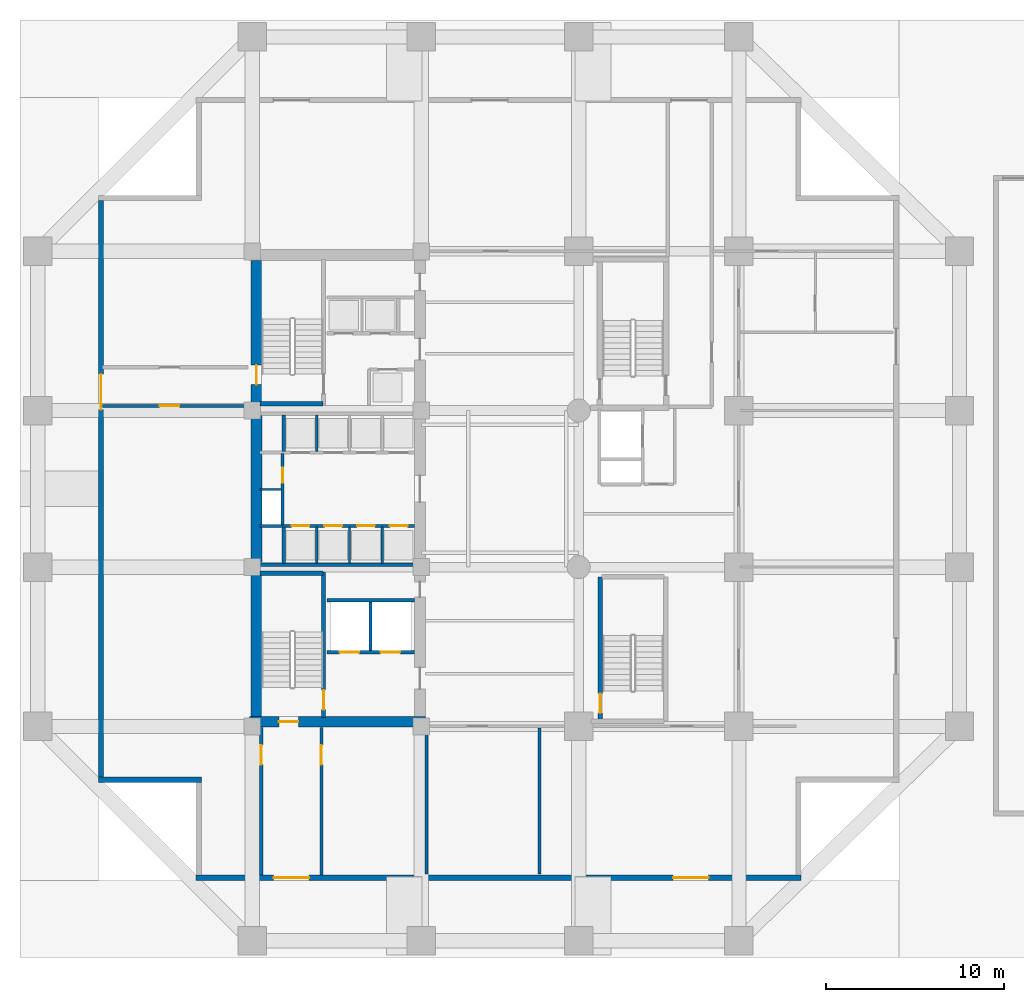
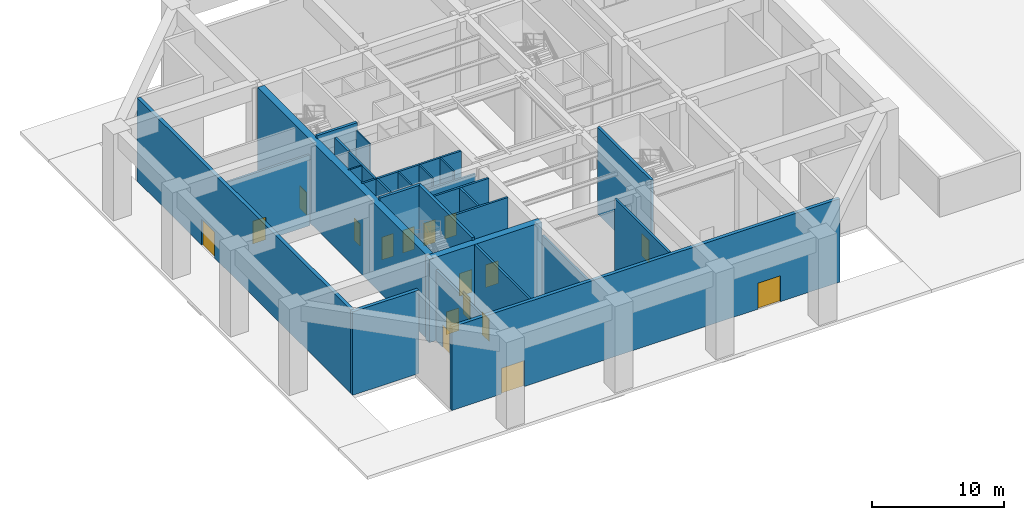
# One storey, part 3 of 10: 27 walls, 17 doors, 17 openings.
"""IFC4 building model written with IfcOpenShell, lengths in metres."""

from ifc_helpers import new_model, si_unit, direction, frame, frame_2d, origin, place, context, subcontext, project, spatial, rectangle, extrude, material, layer, layer_set, type_object, element, fill, save


model = new_model("IFC4")

# Units and contexts
model_context = context("Model", 3, precision=1e-05, world=origin(), true_north=direction((0.0, 1.0)))
body_context = subcontext(model_context, "Body", "Model", "MODEL_VIEW")
ifc_project = project(units=[si_unit("LENGTHUNIT", "METRE"), si_unit("AREAUNIT", "SQUARE_METRE"), si_unit("VOLUMEUNIT", "CUBIC_METRE"), si_unit("PLANEANGLEUNIT", "RADIAN"), si_unit("MASSUNIT", "GRAM", prefix="KILO")], contexts=[model_context])

# Site, building, storey
site_placement = place(None, origin())
site = spatial("IfcSite", under=ifc_project, at=site_placement, CompositionType="ELEMENT")
building_placement = place(site_placement, origin())
building = spatial("IfcBuilding", under=site, at=building_placement, Name="Kundavana Baori Tower", CompositionType="ELEMENT")
storey_placement = place(building_placement, origin())
storey = spatial("IfcBuildingStorey", under=building, at=storey_placement, Name="L00", CompositionType="ELEMENT", Elevation=0.0)

# Wall, opening, door
ifc_material_1 = material(Name="Concrete C50/60", Category="concrete")
ifc_layer_1 = layer(ifc_material_1, 0.39990234375, Name="WL-CORE-400")
ifc_layer_set_1 = layer_set([ifc_layer_1], Name="Concrete C50/60")
wall_type_1 = type_object("IfcWallType", Name="WL-CORE-400", PredefinedType="SHEAR", material=ifc_layer_set_1)
wall_1_placement = place(storey_placement, frame((19.4599609375, 15.739990234375, 0.0), z_axis=(0.0, 0.0, 1.0), x_axis=(0.0, 1.0, 0.0)))
wall_1 = element("IfcWall", 1, at=wall_1_placement, inside=storey, type_object=wall_type_1, Name="WL-L00-ST1-E", PredefinedType="SHEAR", context=body_context, shape_type="SweptSolid", body=[
    extrude(rectangle(XDim=8.199951171875, YDim=0.239990234375, at=frame_2d((4.10009765625, 0.0))), origin(), (0.0, 0.0, 1.0), 8.0),
])
opening_1_placement = place(wall_1_placement, frame((0.449951171875, 0.0, 0.0)))
opening_1 = element("IfcOpeningElement", 2, at=opening_1_placement, cuts=wall_1, Name="Opening FD-110", PredefinedType="OPENING", context=body_context, shape_type="SweptSolid", body=[
    extrude(rectangle(XDim=1.10009765625, YDim=2.10009765625, at=frame_2d((0.550048828125, 1.050048828125))), frame((0.0, 0.1298828125, 0.0), z_axis=(0.0, -1.0, 0.0), x_axis=(1.0, 0.0, 0.0)), (0.0, 0.0, 1.0), 0.260009765625),
])
ifc_material_2 = material(Name="Galvanised Steel Fire-Rated Door Leaf", Category="steel")
door_type_1 = type_object("IfcDoorType", Name="DR-FD120-1100", OperationType="NOTDEFINED", PredefinedType="DOOR", material=ifc_material_2)
door_1_placement = place(opening_1_placement, origin())
door_1 = element("IfcDoor", 3, at=door_1_placement, inside=storey, type_object=door_type_1, Name="DR-L00-ST1", OperationType="SINGLE_SWING_LEFT", OverallHeight=2.10009765625, OverallWidth=1.10009765625, PredefinedType="DOOR", context=body_context, shape_type="SweptSolid", body=[
    extrude(rectangle(XDim=1.10009765625, YDim=2.10009765625, at=frame_2d((0.550048828125, 1.050048828125))), frame((0.0, 0.02490234375, 0.0), z_axis=(0.0, -1.0, 0.0), x_axis=(1.0, 0.0, 0.0)), (0.0, 0.0, 1.0), 0.050048828125),
])
fill(opening_1, door_1)

# Walls
for number, where, z_axis, x_axis, name in (
    (4, (15.89990234375, 23.860107421875, 0.0), (0.0, 0.0, 1.0), (1.0, 0.0, 0.0), "WL-L00-ST1-N"),
    (5, (15.89990234375, 33.389892578125, 0.0), (0.0, 0.0, 1.0), (1.0, 0.0, 0.0), "WL-L00-ST2-S"),
):
    element("IfcWall", number, at=place(storey_placement, frame(where, z_axis=z_axis, x_axis=x_axis)), inside=storey, type_object=wall_type_1, Name=name, PredefinedType="SHEAR", context=body_context, shape_type="SweptSolid", body=[
        extrude(rectangle(XDim=3.52001953125, YDim=0.239990234375, at=frame_2d((1.760009765625, 0.0))), origin(), (0.0, 0.0, 1.0), 8.0),
    ])

# Wall, opening, door
wall_2_placement = place(storey_placement, frame((35.010009765625, 15.5400390625, 0.0), z_axis=(0.0, 0.0, 1.0), x_axis=(0.0, 1.0, 0.0)))
wall_2 = element("IfcWall", 6, at=wall_2_placement, inside=storey, type_object=wall_type_1, Name="WL-L00-ST4-W", PredefinedType="SHEAR", context=body_context, shape_type="SweptSolid", body=[
    extrude(rectangle(XDim=8.119873046875, YDim=0.239990234375, at=frame_2d((4.06005859375, 0.0))), origin(), (0.0, 0.0, 1.0), 8.0),
])
opening_2_placement = place(wall_2_placement, frame((0.449951171875, 0.0, 0.0)))
opening_2 = element("IfcOpeningElement", 7, at=opening_2_placement, cuts=wall_2, Name="Opening FD-110", PredefinedType="OPENING", context=body_context, shape_type="SweptSolid", body=[
    extrude(rectangle(XDim=1.10009765625, YDim=2.10009765625, at=frame_2d((0.550048828125, 1.050048828125))), frame((0.0, 0.1298828125, 0.0), z_axis=(0.0, -1.0, 0.0), x_axis=(1.0, 0.0, 0.0)), (0.0, 0.0, 1.0), 0.260009765625),
])
door_2_placement = place(opening_2_placement, origin())
door_2 = element("IfcDoor", 8, at=door_2_placement, inside=storey, type_object=door_type_1, Name="DR-L00-ST4", OperationType="SINGLE_SWING_RIGHT", OverallHeight=2.10009765625, OverallWidth=1.10009765625, PredefinedType="DOOR", context=body_context, shape_type="SweptSolid", body=[
    extrude(rectangle(XDim=1.10009765625, YDim=2.10009765625, at=frame_2d((0.550048828125, 1.050048828125))), frame((0.0, 0.02490234375, 0.0), z_axis=(0.0, -1.0, 0.0), x_axis=(1.0, 0.0, 0.0)), (0.0, 0.0, 1.0), 0.050048828125),
])
fill(opening_2, door_2)

ifc_material_3 = material(Name="Concrete C60/75", Category="concrete")
ifc_layer_2 = layer(ifc_material_3, 0.60009765625, Name="WL-CORE-600")
ifc_layer_set_2 = layer_set([ifc_layer_2], Name="Concrete C60/75")
wall_type_2 = type_object("IfcWallType", Name="WL-CORE-600", PredefinedType="SHEAR", material=ifc_layer_set_2)
wall_3_placement = place(storey_placement, frame((15.300048828125, 15.510009765625, 0.0), z_axis=(0.0, 0.0, 1.0), x_axis=(1.0, 0.0, 0.0)))
wall_3 = element("IfcWall", 9, at=wall_3_placement, inside=storey, type_object=wall_type_2, Name="L00 Offset Core South Shear Wall", PredefinedType="SHEAR", context=body_context, shape_type="SweptSolid", body=[
    extrude(rectangle(XDim=9.8798828125, YDim=0.60009765625, at=frame_2d((4.93994140625, 0.0))), origin(), (0.0, 0.0, 1.0), 7.719970703125),
])
opening_3_placement = place(wall_3_placement, frame((1.64990234375, 0.0, 0.0)))
opening_3 = element("IfcOpeningElement", 10, at=opening_3_placement, cuts=wall_3, Name="Opening FD-110", PredefinedType="OPENING", context=body_context, shape_type="SweptSolid", body=[
    extrude(rectangle(XDim=1.10009765625, YDim=2.10009765625, at=frame_2d((0.550048828125, 1.050048828125))), frame((0.0, 0.31005859375, 0.0), z_axis=(0.0, -1.0, 0.0), x_axis=(1.0, 0.0, 0.0)), (0.0, 0.0, 1.0), 0.6201171875),
])
door_3_placement = place(opening_3_placement, frame((1.10009765625, 0.0, 0.0), z_axis=(0.0, 0.0, 1.0), x_axis=(-1.0, 0.0, 0.0)))
door_3 = element("IfcDoor", 11, at=door_3_placement, inside=storey, type_object=door_type_1, Name="DR-L00-ST1-DIS", OperationType="SINGLE_SWING_LEFT", OverallHeight=2.10009765625, OverallWidth=1.10009765625, PredefinedType="DOOR", context=body_context, shape_type="SweptSolid", body=[
    extrude(rectangle(XDim=1.10009765625, YDim=2.10009765625, at=frame_2d((0.550048828125, 1.050048828125))), frame((0.0, 0.02490234375, 0.0), z_axis=(0.0, -1.0, 0.0), x_axis=(1.0, 0.0, 0.0)), (0.0, 0.0, 1.0), 0.050048828125),
])
fill(opening_3, door_3)

wall_4_placement = place(storey_placement, frame((15.68994140625, 15.81005859375, 0.0), z_axis=(0.0, 0.0, 1.0), x_axis=(0.0, 1.0, 0.0)))
wall_4 = element("IfcWall", 12, at=wall_4_placement, inside=storey, type_object=wall_type_2, Name="L00 Offset Core West Shear Wall", PredefinedType="SHEAR", context=body_context, shape_type="SweptSolid", body=[
    extrude(rectangle(XDim=25.6298828125, YDim=0.60009765625, at=frame_2d((12.81494140625, 0.0))), origin(), (0.0, 0.0, 1.0), 7.719970703125),
])
opening_4_placement = place(wall_4_placement, frame((18.64990234375, 0.0, 0.0)))
opening_4 = element("IfcOpeningElement", 13, at=opening_4_placement, cuts=wall_4, Name="Opening FD-110", PredefinedType="OPENING", context=body_context, shape_type="SweptSolid", body=[
    extrude(rectangle(XDim=1.10009765625, YDim=2.10009765625, at=frame_2d((0.550048828125, 1.050048828125))), frame((0.0, 0.31005859375, 0.0), z_axis=(0.0, -1.0, 0.0), x_axis=(1.0, 0.0, 0.0)), (0.0, 0.0, 1.0), 0.6201171875),
])
door_4_placement = place(opening_4_placement, frame((1.10009765625, 0.0, 0.0), z_axis=(0.0, 0.0, 1.0), x_axis=(-1.0, 0.0, 0.0)))
door_4 = element("IfcDoor", 14, at=door_4_placement, inside=storey, type_object=door_type_1, Name="DR-L00-ST2-DIS", OperationType="SINGLE_SWING_RIGHT", OverallHeight=2.10009765625, OverallWidth=1.10009765625, PredefinedType="DOOR", context=body_context, shape_type="SweptSolid", body=[
    extrude(rectangle(XDim=1.10009765625, YDim=2.10009765625, at=frame_2d((0.550048828125, 1.050048828125))), frame((0.0, 0.02490234375, 0.0), z_axis=(0.0, -1.0, 0.0), x_axis=(1.0, 0.0, 0.0)), (0.0, 0.0, 1.0), 0.050048828125),
])
fill(opening_4, door_4)

# Wall, openings, doors
ifc_material_4 = material(Name="Red-Buff Dholpur Sandstone Cladding on Concrete C40/50", Category="masonry")
ifc_layer_3 = layer(ifc_material_4, 0.300048828125, Name="WL-EXT-SAND-300")
ifc_layer_set_3 = layer_set([ifc_layer_3], Name="Red-Buff Dholpur Sandstone Cladding on Concrete C40/50")
wall_type_3 = type_object("IfcWallType", Name="WL-EXT-SAND-300", PredefinedType="STANDARD", material=ifc_layer_set_3)
wall_5_placement = place(storey_placement, frame((12.300048828125, 6.75, 0.0), z_axis=(0.0, 0.0, 1.0), x_axis=(1.0, 0.0, 0.0)))
wall_5 = element("IfcWall", 15, at=wall_5_placement, inside=storey, type_object=wall_type_3, Name="L00 Exterior Insulated Facade Wall 01", PredefinedType="STANDARD", context=body_context, shape_type="SweptSolid", body=[
    extrude(rectangle(XDim=34.0, YDim=0.300048828125, at=frame_2d((17.0, 0.0))), origin(), (0.0, 0.0, 1.0), 7.719970703125),
])
opening_5_placement = place(wall_5_placement, frame((4.35009765625, 0.0, 0.0)))
opening_5 = element("IfcOpeningElement", 16, at=opening_5_placement, cuts=wall_5, Name="Opening ED-1", PredefinedType="OPENING", context=body_context, shape_type="SweptSolid", body=[
    extrude(rectangle(XDim=2.0, YDim=2.39990234375, at=frame_2d((1.0, 1.199951171875))), frame((0.0, 0.16015625, 0.0), z_axis=(0.0, -1.0, 0.0), x_axis=(1.0, 0.0, 0.0)), (0.0, 0.0, 1.0), 0.320068359375),
])
opening_6_placement = place(wall_5_placement, frame((26.800048828125, 0.0, 0.0)))
opening_6 = element("IfcOpeningElement", 17, at=opening_6_placement, cuts=wall_5, Name="Opening ED-1", PredefinedType="OPENING", context=body_context, shape_type="SweptSolid", body=[
    extrude(rectangle(XDim=2.0, YDim=2.39990234375, at=frame_2d((1.0, 1.199951171875))), frame((0.0, 0.16015625, 0.0), z_axis=(0.0, -1.0, 0.0), x_axis=(1.0, 0.0, 0.0)), (0.0, 0.0, 1.0), 0.320068359375),
])
ifc_material_5 = material(Name="Architectural Patinated Bronze Metalwork")
door_type_2 = type_object("IfcDoorType", Name="DR-EXT-EXIT-2000", OperationType="NOTDEFINED", PredefinedType="DOOR", material=ifc_material_5)
door_5_placement = place(opening_5_placement, frame((2.0, 0.0, 0.0), z_axis=(0.0, 0.0, 1.0), x_axis=(-1.0, 0.0, 0.0)))
door_5 = element("IfcDoor", 18, at=door_5_placement, inside=storey, type_object=door_type_2, Name="L00 Final Street Exit Door ED-S1", OperationType="DOUBLE_DOOR_SINGLE_SWING", OverallHeight=2.39990234375, OverallWidth=2.0, PredefinedType="DOOR", context=body_context, shape_type="SweptSolid", body=[
    extrude(rectangle(XDim=2.0, YDim=2.39990234375, at=frame_2d((1.0, 1.199951171875))), frame((0.0, 0.02490234375, 0.0), z_axis=(0.0, -1.0, 0.0), x_axis=(1.0, 0.0, 0.0)), (0.0, 0.0, 1.0), 0.050048828125),
])
fill(opening_5, door_5)
door_6_placement = place(opening_6_placement, frame((2.0, 0.0, 0.0), z_axis=(0.0, 0.0, 1.0), x_axis=(-1.0, 0.0, 0.0)))
door_6 = element("IfcDoor", 19, at=door_6_placement, inside=storey, type_object=door_type_2, Name="L00 Final Street Exit Door ED-S2", OperationType="DOUBLE_DOOR_SINGLE_SWING", OverallHeight=2.39990234375, OverallWidth=2.0, PredefinedType="DOOR", context=body_context, shape_type="SweptSolid", body=[
    extrude(rectangle(XDim=2.0, YDim=2.39990234375, at=frame_2d((1.0, 1.199951171875))), frame((0.0, 0.02490234375, 0.0), z_axis=(0.0, -1.0, 0.0), x_axis=(1.0, 0.0, 0.0)), (0.0, 0.0, 1.0), 0.050048828125),
])
fill(opening_6, door_6)

# Wall, opening, door
wall_6_placement = place(storey_placement, frame((6.949951171875, 44.800048828125, 0.0), z_axis=(0.0, 0.0, 1.0), x_axis=(0.0, -1.0, 0.0)))
wall_6 = element("IfcWall", 20, at=wall_6_placement, inside=storey, type_object=wall_type_3, Name="L00 Exterior Insulated Facade Wall 10", PredefinedType="STANDARD", context=body_context, shape_type="SweptSolid", body=[
    extrude(rectangle(XDim=32.400146484375, YDim=0.300048828125, at=frame_2d((16.2001953125, 0.0))), origin(), (0.0, 0.0, 1.0), 7.719970703125),
])
opening_7_placement = place(wall_6_placement, frame((9.75, 0.0, 0.0)))
opening_7 = element("IfcOpeningElement", 21, at=opening_7_placement, cuts=wall_6, Name="Opening ED-1", PredefinedType="OPENING", context=body_context, shape_type="SweptSolid", body=[
    extrude(rectangle(XDim=2.0, YDim=2.39990234375, at=frame_2d((1.0, 1.199951171875))), frame((0.0, 0.16015625, 0.0), z_axis=(0.0, -1.0, 0.0), x_axis=(1.0, 0.0, 0.0)), (0.0, 0.0, 1.0), 0.320068359375),
])
door_7_placement = place(opening_7_placement, frame((2.0, 0.0, 0.0), z_axis=(0.0, 0.0, 1.0), x_axis=(-1.0, 0.0, 0.0)))
door_7 = element("IfcDoor", 22, at=door_7_placement, inside=storey, type_object=door_type_2, Name="L00 Final Street Exit Door ED-W1", OperationType="DOUBLE_DOOR_SINGLE_SWING", OverallHeight=2.39990234375, OverallWidth=2.0, PredefinedType="DOOR", context=body_context, shape_type="SweptSolid", body=[
    extrude(rectangle(XDim=2.0, YDim=2.39990234375, at=frame_2d((1.0, 1.199951171875))), frame((0.0, 0.02490234375, 0.0), z_axis=(0.0, -1.0, 0.0), x_axis=(1.0, 0.0, 0.0)), (0.0, 0.0, 1.0), 0.050048828125),
])
fill(opening_7, door_7)

# Walls
wall_7_placement = place(storey_placement, frame((6.800048828125, 12.25, 0.0), z_axis=(0.0, 0.0, 1.0), x_axis=(1.0, 0.0, 0.0)))
element("IfcWall", 23, at=wall_7_placement, inside=storey, type_object=wall_type_3, Name="L00 Exterior Insulated Facade Wall 11", PredefinedType="STANDARD", context=body_context, shape_type="SweptSolid", body=[
    extrude(rectangle(XDim=5.800048828125, YDim=0.300048828125, at=frame_2d((2.89990234375, 0.0))), origin(), (0.0, 0.0, 1.0), 7.719970703125),
])
ifc_material_6 = material(Name="Acoustic Gypsum Plasterboard on Galvanised Steel Studs", Category="steel")
ifc_layer_4 = layer(ifc_material_6, 0.1201171875, Name="WL-PART-120")
ifc_layer_set_4 = layer_set([ifc_layer_4], Name="Acoustic Gypsum Plasterboard on Galvanised Steel Studs")
wall_type_4 = type_object("IfcWallType", Name="WL-PART-120", PredefinedType="PARTITIONING", material=ifc_layer_set_4)
for number, where, z_axis, x_axis, name in (
    (24, (19.080078125, 24.39990234375, 0.0), (0.0, 0.0, 1.0), (0.0, 1.0, 0.0), "WL-L00-LPLOW-D1"),
    (25, (20.919921875, 24.39990234375, 0.0), (0.0, 0.0, 1.0), (0.0, 1.0, 0.0), "WL-L00-LPLOW-D2"),
    (26, (22.760009765625, 24.39990234375, 0.0), (0.0, 0.0, 1.0), (0.0, 1.0, 0.0), "WL-L00-LPLOW-D3"),
):
    element("IfcWall", number, at=place(storey_placement, frame(where, z_axis=z_axis, x_axis=x_axis)), inside=storey, type_object=wall_type_4, Name=name, PredefinedType="PARTITIONING", context=body_context, shape_type="SweptSolid", body=[
        extrude(rectangle(XDim=2.050048828125, YDim=0.1201171875, at=frame_2d((1.02490234375, 0.0))), origin(), (0.0, 0.0, 1.0), 7.719970703125),
    ])
wall_8_placement = place(storey_placement, frame((15.89990234375, 28.56005859375, 0.0), z_axis=(0.0, 0.0, 1.0), x_axis=(1.0, 0.0, 0.0)))
element("IfcWall", 27, at=wall_8_placement, inside=storey, type_object=wall_type_4, Name="WL-L00-RSRW-N", PredefinedType="PARTITIONING", context=body_context, shape_type="SweptSolid", body=[
    extrude(rectangle(XDim=1.2001953125, YDim=0.1201171875, at=frame_2d((0.60009765625, 0.0))), origin(), (0.0, 0.0, 1.0), 7.719970703125),
])
wall_9_placement = place(storey_placement, frame((19.080078125, 30.699951171875, 0.0), z_axis=(0.0, 0.0, 1.0), x_axis=(0.0, 1.0, 0.0)))
element("IfcWall", 28, at=wall_9_placement, inside=storey, type_object=wall_type_4, Name="WL-L00-LPMID-D1", PredefinedType="PARTITIONING", context=body_context, shape_type="SweptSolid", body=[
    extrude(rectangle(XDim=2.050048828125, YDim=0.1201171875, at=frame_2d((1.02490234375, 0.0))), origin(), (0.0, 0.0, 1.0), 7.719970703125),
])

# Wall, opening, door
ifc_material_7 = material(Name="Autoclaved Aerated Concrete Blockwork Masonry", Category="masonry")
ifc_layer_5 = layer(ifc_material_7, 0.18505859375, Name="WL-PART-180")
ifc_layer_set_5 = layer_set([ifc_layer_5], Name="Autoclaved Aerated Concrete Blockwork Masonry")
wall_type_5 = type_object("IfcWallType", Name="WL-PART-180", PredefinedType="SOLIDWALL", material=ifc_layer_set_5)
wall_10_placement = place(storey_placement, frame((15.9599609375, 6.89990234375, 0.0), z_axis=(0.0, 0.0, 1.0), x_axis=(0.0, 1.0, 0.0)))
wall_10 = element("IfcWall", 29, at=wall_10_placement, inside=storey, type_object=wall_type_5, Name="WL-L00-EXD1-W", PredefinedType="SOLIDWALL", context=body_context, shape_type="SweptSolid", body=[
    extrude(rectangle(XDim=8.300048828125, YDim=0.18505859375, at=frame_2d((4.14990234375, 0.0))), origin(), (0.0, 0.0, 1.0), 6.550048828125),
])
opening_8_placement = place(wall_10_placement, frame((6.199951171875, 0.0, 0.0)))
opening_8 = element("IfcOpeningElement", 30, at=opening_8_placement, cuts=wall_10, Name="Opening FD-110", PredefinedType="OPENING", context=body_context, shape_type="SweptSolid", body=[
    extrude(rectangle(XDim=1.10009765625, YDim=2.10009765625, at=frame_2d((0.550048828125, 1.050048828125))), frame((0.0, 0.1025390625, 0.0), z_axis=(0.0, -1.0, 0.0), x_axis=(1.0, 0.0, 0.0)), (0.0, 0.0, 1.0), 0.205078125),
])
door_8_placement = place(opening_8_placement, origin())
door_8 = element("IfcDoor", 31, at=door_8_placement, inside=storey, type_object=door_type_1, Name="DR-L00-EXD1-W", OperationType="SINGLE_SWING_LEFT", OverallHeight=2.10009765625, OverallWidth=1.10009765625, PredefinedType="DOOR", context=body_context, shape_type="SweptSolid", body=[
    extrude(rectangle(XDim=1.10009765625, YDim=2.10009765625, at=frame_2d((0.550048828125, 1.050048828125))), frame((0.0, 0.02490234375, 0.0), z_axis=(0.0, -1.0, 0.0), x_axis=(1.0, 0.0, 0.0)), (0.0, 0.0, 1.0), 0.050048828125),
])
fill(opening_8, door_8)

wall_11_placement = place(storey_placement, frame((19.340087890625, 6.89990234375, 0.0), z_axis=(0.0, 0.0, 1.0), x_axis=(0.0, 1.0, 0.0)))
wall_11 = element("IfcWall", 32, at=wall_11_placement, inside=storey, type_object=wall_type_5, Name="WL-L00-EXD1-E", PredefinedType="SOLIDWALL", context=body_context, shape_type="SweptSolid", body=[
    extrude(rectangle(XDim=8.300048828125, YDim=0.18505859375, at=frame_2d((4.14990234375, 0.0))), origin(), (0.0, 0.0, 1.0), 7.719970703125),
])
opening_9_placement = place(wall_11_placement, frame((6.199951171875, 0.0, 0.0)))
opening_9 = element("IfcOpeningElement", 33, at=opening_9_placement, cuts=wall_11, Name="Opening FD-110", PredefinedType="OPENING", context=body_context, shape_type="SweptSolid", body=[
    extrude(rectangle(XDim=1.10009765625, YDim=2.10009765625, at=frame_2d((0.550048828125, 1.050048828125))), frame((0.0, 0.1025390625, 0.0), z_axis=(0.0, -1.0, 0.0), x_axis=(1.0, 0.0, 0.0)), (0.0, 0.0, 1.0), 0.205078125),
])
door_9_placement = place(opening_9_placement, frame((1.10009765625, 0.0, 0.0), z_axis=(0.0, 0.0, 1.0), x_axis=(-1.0, 0.0, 0.0)))
door_9 = element("IfcDoor", 34, at=door_9_placement, inside=storey, type_object=door_type_1, Name="DR-L00-EXD1-E", OperationType="SINGLE_SWING_RIGHT", OverallHeight=2.10009765625, OverallWidth=1.10009765625, PredefinedType="DOOR", context=body_context, shape_type="SweptSolid", body=[
    extrude(rectangle(XDim=1.10009765625, YDim=2.10009765625, at=frame_2d((0.550048828125, 1.050048828125))), frame((0.0, 0.02490234375, 0.0), z_axis=(0.0, -1.0, 0.0), x_axis=(1.0, 0.0, 0.0)), (0.0, 0.0, 1.0), 0.050048828125),
])
fill(opening_9, door_9)

wall_12_placement = place(storey_placement, frame((7.050048828125, 33.260009765625, 0.0), z_axis=(0.0, 0.0, 1.0), x_axis=(1.0, 0.0, 0.0)))
wall_12 = element("IfcWall", 35, at=wall_12_placement, inside=storey, type_object=wall_type_5, Name="WL-L00-EXD2-S", PredefinedType="SOLIDWALL", context=body_context, shape_type="SweptSolid", body=[
    extrude(rectangle(XDim=8.14990234375, YDim=0.18505859375, at=frame_2d((4.074951171875, 0.0))), origin(), (0.0, 0.0, 1.0), 6.550048828125),
])
opening_10_placement = place(wall_12_placement, frame((3.199951171875, 0.0, 0.0)))
opening_10 = element("IfcOpeningElement", 36, at=opening_10_placement, cuts=wall_12, Name="Opening FD-110", PredefinedType="OPENING", context=body_context, shape_type="SweptSolid", body=[
    extrude(rectangle(XDim=1.10009765625, YDim=2.10009765625, at=frame_2d((0.550048828125, 1.050048828125))), frame((0.0, 0.1025390625, 0.0), z_axis=(0.0, -1.0, 0.0), x_axis=(1.0, 0.0, 0.0)), (0.0, 0.0, 1.0), 0.205078125),
])
door_10_placement = place(opening_10_placement, frame((1.10009765625, 0.0, 0.0), z_axis=(0.0, 0.0, 1.0), x_axis=(-1.0, 0.0, 0.0)))
door_10 = element("IfcDoor", 37, at=door_10_placement, inside=storey, type_object=door_type_1, Name="DR-L00-EXD2-W", OperationType="SINGLE_SWING_RIGHT", OverallHeight=2.10009765625, OverallWidth=1.10009765625, PredefinedType="DOOR", context=body_context, shape_type="SweptSolid", body=[
    extrude(rectangle(XDim=1.10009765625, YDim=2.10009765625, at=frame_2d((0.550048828125, 1.050048828125))), frame((0.0, 0.02490234375, 0.0), z_axis=(0.0, -1.0, 0.0), x_axis=(1.0, 0.0, 0.0)), (0.0, 0.0, 1.0), 0.050048828125),
])
fill(opening_10, door_10)

# Walls
wall_13_placement = place(storey_placement, frame((31.60009765625, 6.949951171875, 0.0), z_axis=(0.0, 0.0, 1.0), x_axis=(0.0, 1.0, 0.0)))
element("IfcWall", 38, at=wall_13_placement, inside=storey, type_object=wall_type_5, Name="WL-L00-FCC-E", PredefinedType="SOLIDWALL", context=body_context, shape_type="SweptSolid", body=[
    extrude(rectangle(XDim=8.2099609375, YDim=0.18505859375, at=frame_2d((4.10498046875, 0.0))), origin(), (0.0, 0.0, 1.0), 7.719970703125),
])
wall_14_placement = place(storey_placement, frame((25.25, 6.949951171875, 0.0), z_axis=(0.0, 0.0, 1.0), x_axis=(0.0, 1.0, 0.0)))
element("IfcWall", 39, at=wall_14_placement, inside=storey, type_object=wall_type_5, Name="WL-L00-FCC-W", PredefinedType="SOLIDWALL", context=body_context, shape_type="SweptSolid", body=[
    extrude(rectangle(XDim=8.2099609375, YDim=0.18505859375, at=frame_2d((4.10498046875, 0.0))), origin(), (0.0, 0.0, 1.0), 6.550048828125),
])

# Wall, openings, doors
ifc_material_8 = material(Name="Autoclaved Aerated Concrete Blockwork Masonry", Category="masonry")
ifc_layer_6 = layer(ifc_material_8, 0.179931640625, Name="WL-SHAFT-180")
ifc_layer_set_6 = layer_set([ifc_layer_6], Name="Autoclaved Aerated Concrete Blockwork Masonry")
wall_type_6 = type_object("IfcWallType", Name="WL-SHAFT-180", PredefinedType="SOLIDWALL", material=ifc_layer_set_6)
wall_15_placement = place(storey_placement, frame((19.639892578125, 19.419921875, 0.0), z_axis=(0.0, 0.0, 1.0), x_axis=(1.0, 0.0, 0.0)))
wall_15 = element("IfcWall", 40, at=wall_15_placement, inside=storey, type_object=wall_type_6, Name="WL-L00-FFL-S", PredefinedType="SOLIDWALL", context=body_context, shape_type="SweptSolid", body=[
    extrude(rectangle(XDim=4.940185546875, YDim=0.179931640625, at=frame_2d((2.47021484375, 0.0))), origin(), (0.0, 0.0, 1.0), 7.719970703125),
])
opening_11_placement = place(wall_15_placement, frame((0.719970703125, 0.0, 0.0)))
opening_11 = element("IfcOpeningElement", 41, at=opening_11_placement, cuts=wall_15, Name="Opening LD-110", PredefinedType="OPENING", context=body_context, shape_type="SweptSolid", body=[
    extrude(rectangle(XDim=1.10009765625, YDim=2.10009765625, at=frame_2d((0.550048828125, 1.050048828125))), frame((0.0, 0.10009765625, 0.0), z_axis=(0.0, -1.0, 0.0), x_axis=(1.0, 0.0, 0.0)), (0.0, 0.0, 1.0), 0.199951171875),
])
opening_12_placement = place(wall_15_placement, frame((3.02001953125, 0.0, 0.0)))
opening_12 = element("IfcOpeningElement", 42, at=opening_12_placement, cuts=wall_15, Name="Opening LD-110", PredefinedType="OPENING", context=body_context, shape_type="SweptSolid", body=[
    extrude(rectangle(XDim=1.10009765625, YDim=2.10009765625, at=frame_2d((0.550048828125, 1.050048828125))), frame((0.0, 0.10009765625, 0.0), z_axis=(0.0, -1.0, 0.0), x_axis=(1.0, 0.0, 0.0)), (0.0, 0.0, 1.0), 0.199951171875),
])
ifc_material_9 = material(Name="Galvanised Steel Fire-Rated Door Leaf", Category="steel")
door_type_3 = type_object("IfcDoorType", Name="DR-SLIDE-LD1100", OperationType="NOTDEFINED", PredefinedType="DOOR", material=ifc_material_9)
door_11_placement = place(opening_11_placement, origin())
door_11 = element("IfcDoor", 43, at=door_11_placement, inside=storey, type_object=door_type_3, Name="DR-L00-LD-FFL-1", OperationType="DOUBLE_DOOR_SLIDING", OverallHeight=2.10009765625, OverallWidth=1.10009765625, PredefinedType="DOOR", context=body_context, shape_type="SweptSolid", body=[
    extrude(rectangle(XDim=1.10009765625, YDim=2.10009765625, at=frame_2d((0.550048828125, 1.050048828125))), frame((0.0, 0.02490234375, 0.0), z_axis=(0.0, -1.0, 0.0), x_axis=(1.0, 0.0, 0.0)), (0.0, 0.0, 1.0), 0.050048828125),
])
fill(opening_11, door_11)
door_12_placement = place(opening_12_placement, origin())
door_12 = element("IfcDoor", 44, at=door_12_placement, inside=storey, type_object=door_type_3, Name="DR-L00-LD-FFL-2", OperationType="DOUBLE_DOOR_SLIDING", OverallHeight=2.10009765625, OverallWidth=1.10009765625, PredefinedType="DOOR", context=body_context, shape_type="SweptSolid", body=[
    extrude(rectangle(XDim=1.10009765625, YDim=2.10009765625, at=frame_2d((0.550048828125, 1.050048828125))), frame((0.0, 0.02490234375, 0.0), z_axis=(0.0, -1.0, 0.0), x_axis=(1.0, 0.0, 0.0)), (0.0, 0.0, 1.0), 0.050048828125),
])
fill(opening_12, door_12)

# Walls
wall_16_placement = place(storey_placement, frame((22.10009765625, 19.510009765625, 0.0), z_axis=(0.0, 0.0, 1.0), x_axis=(0.0, 1.0, 0.0)))
element("IfcWall", 45, at=wall_16_placement, inside=storey, type_object=wall_type_6, Name="WL-L00-FFL-MID", PredefinedType="SOLIDWALL", context=body_context, shape_type="SweptSolid", body=[
    extrude(rectangle(XDim=2.739990234375, YDim=0.179931640625, at=frame_2d((1.3701171875, 0.0))), origin(), (0.0, 0.0, 1.0), 7.719970703125),
])
wall_17_placement = place(storey_placement, frame((19.639892578125, 22.340087890625, 0.0), z_axis=(0.0, 0.0, 1.0), x_axis=(1.0, 0.0, 0.0)))
element("IfcWall", 46, at=wall_17_placement, inside=storey, type_object=wall_type_6, Name="WL-L00-FFL-N", PredefinedType="SOLIDWALL", context=body_context, shape_type="SweptSolid", body=[
    extrude(rectangle(XDim=4.940185546875, YDim=0.179931640625, at=frame_2d((2.47021484375, 0.0))), origin(), (0.0, 0.0, 1.0), 7.719970703125),
])

# Wall, openings, doors
wall_18_placement = place(storey_placement, frame((15.89990234375, 26.52001953125, 0.0), z_axis=(0.0, 0.0, 1.0), x_axis=(1.0, 0.0, 0.0)))
wall_18 = element("IfcWall", 47, at=wall_18_placement, inside=storey, type_object=wall_type_6, Name="WL-L00-LPLOW-N", PredefinedType="SOLIDWALL", context=body_context, shape_type="SweptSolid", body=[
    extrude(rectangle(XDim=8.68017578125, YDim=0.179931640625, at=frame_2d((4.340087890625, 0.0))), origin(), (0.0, 0.0, 1.0), 7.719970703125),
])
opening_13_placement = place(wall_18_placement, frame((1.760009765625, 0.0, 0.0)))
opening_13 = element("IfcOpeningElement", 48, at=opening_13_placement, cuts=wall_18, Name="Opening LD-100", PredefinedType="OPENING", context=body_context, shape_type="SweptSolid", body=[
    extrude(rectangle(XDim=1.0, YDim=2.10009765625, at=frame_2d((0.5, 1.050048828125))), frame((0.0, 0.10009765625, 0.0), z_axis=(0.0, -1.0, 0.0), x_axis=(1.0, 0.0, 0.0)), (0.0, 0.0, 1.0), 0.199951171875),
])
opening_14_placement = place(wall_18_placement, frame((3.60009765625, 0.0, 0.0)))
opening_14 = element("IfcOpeningElement", 49, at=opening_14_placement, cuts=wall_18, Name="Opening LD-100", PredefinedType="OPENING", context=body_context, shape_type="SweptSolid", body=[
    extrude(rectangle(XDim=1.0, YDim=2.10009765625, at=frame_2d((0.5, 1.050048828125))), frame((0.0, 0.10009765625, 0.0), z_axis=(0.0, -1.0, 0.0), x_axis=(1.0, 0.0, 0.0)), (0.0, 0.0, 1.0), 0.199951171875),
])
opening_15_placement = place(wall_18_placement, frame((5.43994140625, 0.0, 0.0)))
opening_15 = element("IfcOpeningElement", 50, at=opening_15_placement, cuts=wall_18, Name="Opening LD-100", PredefinedType="OPENING", context=body_context, shape_type="SweptSolid", body=[
    extrude(rectangle(XDim=1.0, YDim=2.10009765625, at=frame_2d((0.5, 1.050048828125))), frame((0.0, 0.10009765625, 0.0), z_axis=(0.0, -1.0, 0.0), x_axis=(1.0, 0.0, 0.0)), (0.0, 0.0, 1.0), 0.199951171875),
])
opening_16_placement = place(wall_18_placement, frame((7.280029296875, 0.0, 0.0)))
opening_16 = element("IfcOpeningElement", 51, at=opening_16_placement, cuts=wall_18, Name="Opening LD-100", PredefinedType="OPENING", context=body_context, shape_type="SweptSolid", body=[
    extrude(rectangle(XDim=1.0, YDim=2.10009765625, at=frame_2d((0.5, 1.050048828125))), frame((0.0, 0.10009765625, 0.0), z_axis=(0.0, -1.0, 0.0), x_axis=(1.0, 0.0, 0.0)), (0.0, 0.0, 1.0), 0.199951171875),
])
ifc_material_10 = material(Name="Galvanised Steel Fire-Rated Door Leaf", Category="steel")
door_type_4 = type_object("IfcDoorType", Name="DR-SLIDE-LD1000", OperationType="NOTDEFINED", PredefinedType="DOOR", material=ifc_material_10)
door_13_placement = place(opening_13_placement, origin())
door_13 = element("IfcDoor", 52, at=door_13_placement, inside=storey, type_object=door_type_4, Name="DR-L00-LD-LP-01", OperationType="DOUBLE_DOOR_SLIDING", OverallHeight=2.10009765625, OverallWidth=1.0, PredefinedType="DOOR", context=body_context, shape_type="SweptSolid", body=[
    extrude(rectangle(XDim=1.0, YDim=2.10009765625, at=frame_2d((0.5, 1.050048828125))), frame((0.0, 0.02490234375, 0.0), z_axis=(0.0, -1.0, 0.0), x_axis=(1.0, 0.0, 0.0)), (0.0, 0.0, 1.0), 0.050048828125),
])
fill(opening_13, door_13)
door_14_placement = place(opening_14_placement, origin())
door_14 = element("IfcDoor", 53, at=door_14_placement, inside=storey, type_object=door_type_4, Name="DR-L00-LD-LP-02", OperationType="DOUBLE_DOOR_SLIDING", OverallHeight=2.10009765625, OverallWidth=1.0, PredefinedType="DOOR", context=body_context, shape_type="SweptSolid", body=[
    extrude(rectangle(XDim=1.0, YDim=2.10009765625, at=frame_2d((0.5, 1.050048828125))), frame((0.0, 0.02490234375, 0.0), z_axis=(0.0, -1.0, 0.0), x_axis=(1.0, 0.0, 0.0)), (0.0, 0.0, 1.0), 0.050048828125),
])
fill(opening_14, door_14)
door_15_placement = place(opening_15_placement, origin())
door_15 = element("IfcDoor", 54, at=door_15_placement, inside=storey, type_object=door_type_4, Name="DR-L00-LD-LP-03", OperationType="DOUBLE_DOOR_SLIDING", OverallHeight=2.10009765625, OverallWidth=1.0, PredefinedType="DOOR", context=body_context, shape_type="SweptSolid", body=[
    extrude(rectangle(XDim=1.0, YDim=2.10009765625, at=frame_2d((0.5, 1.050048828125))), frame((0.0, 0.02490234375, 0.0), z_axis=(0.0, -1.0, 0.0), x_axis=(1.0, 0.0, 0.0)), (0.0, 0.0, 1.0), 0.050048828125),
])
fill(opening_15, door_15)
door_16_placement = place(opening_16_placement, origin())
door_16 = element("IfcDoor", 55, at=door_16_placement, inside=storey, type_object=door_type_4, Name="DR-L00-LD-LP-04", OperationType="DOUBLE_DOOR_SLIDING", OverallHeight=2.10009765625, OverallWidth=1.0, PredefinedType="DOOR", context=body_context, shape_type="SweptSolid", body=[
    extrude(rectangle(XDim=1.0, YDim=2.10009765625, at=frame_2d((0.5, 1.050048828125))), frame((0.0, 0.02490234375, 0.0), z_axis=(0.0, -1.0, 0.0), x_axis=(1.0, 0.0, 0.0)), (0.0, 0.0, 1.0), 0.050048828125),
])
fill(opening_16, door_16)

# Walls
wall_19_placement = place(storey_placement, frame((15.89990234375, 24.330078125, 0.0), z_axis=(0.0, 0.0, 1.0), x_axis=(1.0, 0.0, 0.0)))
element("IfcWall", 56, at=wall_19_placement, inside=storey, type_object=wall_type_6, Name="WL-L00-LPLOW-S", PredefinedType="SOLIDWALL", context=body_context, shape_type="SweptSolid", body=[
    extrude(rectangle(XDim=8.68017578125, YDim=0.179931640625, at=frame_2d((4.340087890625, 0.0))), origin(), (0.0, 0.0, 1.0), 6.919921875),
])
wall_20_placement = place(storey_placement, frame((17.219970703125, 24.39990234375, 0.0), z_axis=(0.0, 0.0, 1.0), x_axis=(0.0, 1.0, 0.0)))
element("IfcWall", 57, at=wall_20_placement, inside=storey, type_object=wall_type_6, Name="WL-L00-LPLOW-W", PredefinedType="SOLIDWALL", context=body_context, shape_type="SweptSolid", body=[
    extrude(rectangle(XDim=2.050048828125, YDim=0.179931640625, at=frame_2d((1.02490234375, 0.0))), origin(), (0.0, 0.0, 1.0), 7.719970703125),
])

# Wall, opening, door
wall_21_placement = place(storey_placement, frame((17.159912109375, 26.580078125, 0.0), z_axis=(0.0, 0.0, 1.0), x_axis=(0.0, 1.0, 0.0)))
wall_21 = element("IfcWall", 58, at=wall_21_placement, inside=storey, type_object=wall_type_6, Name="WL-L00-RSRW-E", PredefinedType="SOLIDWALL", context=body_context, shape_type="SweptSolid", body=[
    extrude(rectangle(XDim=4.02001953125, YDim=0.179931640625, at=frame_2d((2.010009765625, 0.0))), origin(), (0.0, 0.0, 1.0), 7.719970703125),
])
opening_17_placement = place(wall_21_placement, frame((2.35009765625, 0.0, 0.0)))
opening_17 = element("IfcOpeningElement", 59, at=opening_17_placement, cuts=wall_21, Name="Opening FD-085", PredefinedType="OPENING", context=body_context, shape_type="SweptSolid", body=[
    extrude(rectangle(XDim=0.85009765625, YDim=2.06005859375, at=frame_2d((0.425048828125, 1.030029296875))), frame((0.0, 0.10009765625, 0.0), z_axis=(0.0, -1.0, 0.0), x_axis=(1.0, 0.0, 0.0)), (0.0, 0.0, 1.0), 0.199951171875),
])
ifc_material_11 = material(Name="Galvanised Steel Fire-Rated Door Leaf", Category="steel")
door_type_5 = type_object("IfcDoorType", Name="DR-FD60-850", OperationType="NOTDEFINED", PredefinedType="DOOR", material=ifc_material_11)
door_17_placement = place(opening_17_placement, origin())
door_17 = element("IfcDoor", 60, at=door_17_placement, inside=storey, type_object=door_type_5, Name="DR-L00-CLN", OperationType="SINGLE_SWING_RIGHT", OverallHeight=2.06005859375, OverallWidth=0.85009765625, PredefinedType="DOOR", context=body_context, shape_type="SweptSolid", body=[
    extrude(rectangle(XDim=0.85009765625, YDim=2.06005859375, at=frame_2d((0.425048828125, 1.030029296875))), frame((0.0, 0.02490234375, 0.0), z_axis=(0.0, -1.0, 0.0), x_axis=(1.0, 0.0, 0.0)), (0.0, 0.0, 1.0), 0.050048828125),
])
fill(opening_17, door_17)

# Wall
wall_22_placement = place(storey_placement, frame((17.219970703125, 30.699951171875, 0.0), z_axis=(0.0, 0.0, 1.0), x_axis=(0.0, 1.0, 0.0)))
element("IfcWall", 61, at=wall_22_placement, inside=storey, type_object=wall_type_6, Name="WL-L00-LPMID-W", PredefinedType="SOLIDWALL", context=body_context, shape_type="SweptSolid", body=[
    extrude(rectangle(XDim=2.050048828125, YDim=0.179931640625, at=frame_2d((1.02490234375, 0.0))), origin(), (0.0, 0.0, 1.0), 7.719970703125),
])

save(model, "model.ifc")
